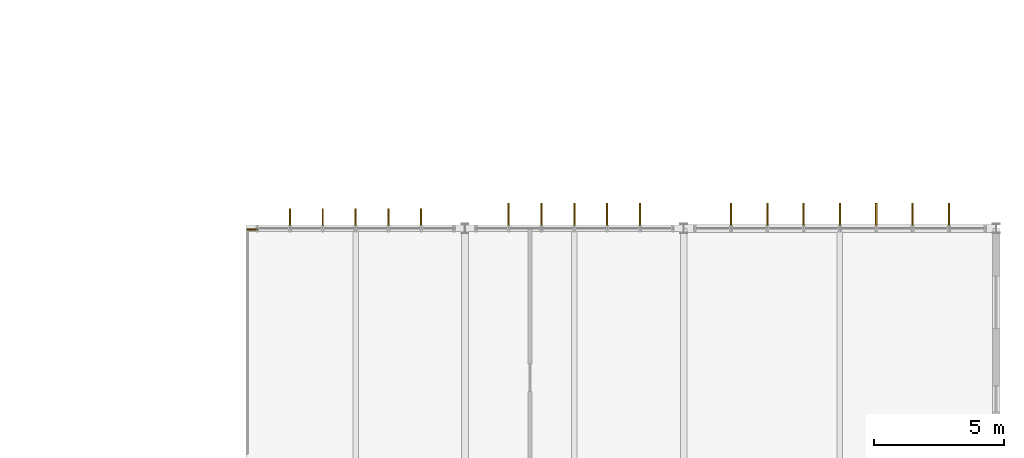
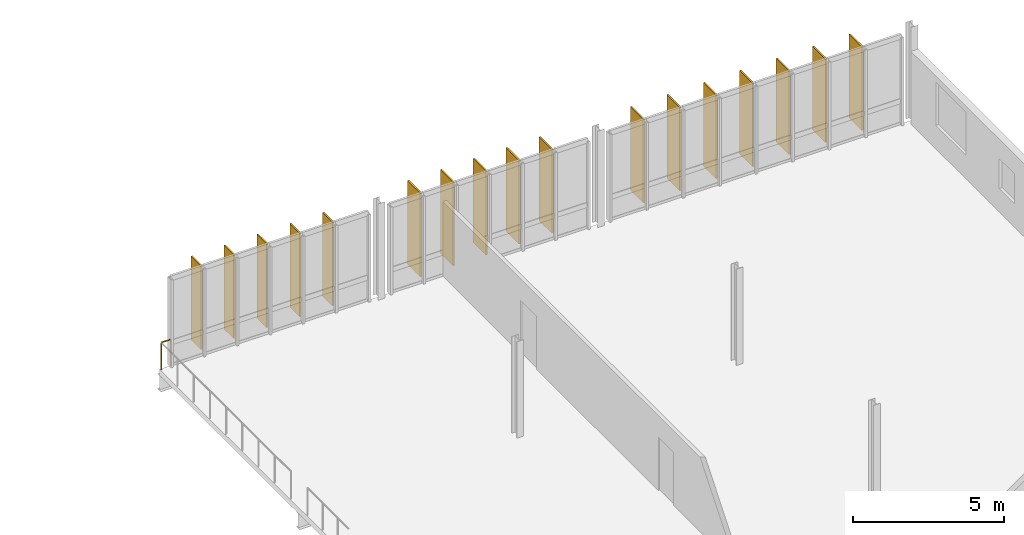
# One storey, part 61 of 61: 17 shading devices, 1 railing.
"""IFC4 building model written with IfcOpenShell, lengths in metres."""

from ifc_helpers import new_model, si_unit, derived_unit, direction, frame, origin, origin_2d, place, context, subcontext, project, spatial, rectangle, circle, extrude, material, layer, layer_set, type_object, element, save


model = new_model("IFC4")

# Units and contexts
model_context = context("Model", 3, precision=1e-05, world=origin(), true_north=direction((0.0, 1.0)))
body_context = subcontext(model_context, "Body", "Model", "MODEL_VIEW")
ifc_project = project(units=[si_unit("LENGTHUNIT", "METRE"), si_unit("AREAUNIT", "SQUARE_METRE"), si_unit("VOLUMEUNIT", "CUBIC_METRE"), si_unit("PLANEANGLEUNIT", "RADIAN"), si_unit("MASSUNIT", "GRAM", prefix="KILO"), derived_unit("THERMALTRANSMITTANCEUNIT", [(si_unit("MASSUNIT", "GRAM", prefix="KILO"), 1), (si_unit("TIMEUNIT", "SECOND"), -3), (si_unit("THERMODYNAMICTEMPERATUREUNIT", "KELVIN"), -1)])], contexts=[model_context])

# Site, building, storey
site_placement = place(None, origin())
site = spatial("IfcSite", under=ifc_project, at=site_placement, CompositionType="ELEMENT")
building_placement = place(site_placement, origin())
building = spatial("IfcBuilding", under=site, at=building_placement, Name="Makaiwela Harbour Ferry Terminal", CompositionType="ELEMENT")
storey_placement = place(building_placement, frame((0.0, 0.0, 13.800048828125)))
storey = spatial("IfcBuildingStorey", under=building, at=storey_placement, Name="L03", CompositionType="ELEMENT", Elevation=13.800048828125)

# Shading devices
ifc_material_1 = material(Name="Marine anodised aluminium 6063-T6", Category="aluminium")
ifc_layer_1 = layer(ifc_material_1, 0.054931640625)
ifc_layer_set_1 = layer_set([ifc_layer_1], Name="Marine anodised aluminium 6063-T6")
shading_device_type_1 = type_object("IfcShadingDeviceType", Name="ENV-FIN-650", PredefinedType="USERDEFINED", material=ifc_layer_set_1)
for number, where, z_axis, x_axis, name in (
    (1, (140.280029296875, 95.43798828125, 0.15087890625), (0.0, 0.0, 1.0), (0.0, 1.0, 0.0), "Vertical Solar Fin SFN-0453"),
    (2, (141.5400390625, 95.43798828125, 0.15087890625), (0.0, 0.0, 1.0), (0.0, 1.0, 0.0), "Vertical Solar Fin SFN-0454"),
    (3, (142.800048828125, 95.43798828125, 0.15087890625), (0.0, 0.0, 1.0), (0.0, 1.0, 0.0), "Vertical Solar Fin SFN-0455"),
    (4, (144.06005859375, 95.43798828125, 0.15087890625), (0.0, 0.0, 1.0), (0.0, 1.0, 0.0), "Vertical Solar Fin SFN-0456"),
    (5, (145.320068359375, 95.43798828125, 0.15087890625), (0.0, 0.0, 1.0), (0.0, 1.0, 0.0), "Vertical Solar Fin SFN-0457"),
):
    element("IfcShadingDevice", number, at=place(storey_placement, frame(where, z_axis=z_axis, x_axis=x_axis)), inside=storey, type_object=shading_device_type_1, Name=name, ObjectType="SOLAR FIN", PredefinedType="USERDEFINED", context=body_context, shape_type="SweptSolid", body=[
        extrude(rectangle(XDim=0.64990234375, YDim=0.054931640625, at=origin_2d()), origin(), (0.0, 0.0, 1.0), 3.389892578125),
    ])
ifc_material_2 = material(Name="Thermally modified Accoya timber and anodised aluminium", Category="wood")
ifc_layer_2 = layer(ifc_material_2, 0.06005859375)
ifc_layer_set_2 = layer_set([ifc_layer_2], Name="Thermally modified Accoya timber and anodised aluminium")
shading_device_type_2 = type_object("IfcShadingDeviceType", Name="ENV-FIN-850", PredefinedType="USERDEFINED", material=ifc_layer_set_2)
for number, where, z_axis, x_axis, name in (
    (6, (148.679931640625, 95.5380859375, 0.15087890625), (0.0, 0.0, 1.0), (0.0, 1.0, 0.0), "Vertical Solar Fin SFN-0473"),
    (7, (149.93994140625, 95.5380859375, 0.15087890625), (0.0, 0.0, 1.0), (0.0, 1.0, 0.0), "Vertical Solar Fin SFN-0474"),
    (8, (151.199951171875, 95.5380859375, 0.15087890625), (0.0, 0.0, 1.0), (0.0, 1.0, 0.0), "Vertical Solar Fin SFN-0475"),
    (9, (152.4599609375, 95.5380859375, 0.15087890625), (0.0, 0.0, 1.0), (0.0, 1.0, 0.0), "Vertical Solar Fin SFN-0476"),
    (10, (153.719970703125, 95.5380859375, 0.15087890625), (0.0, 0.0, 1.0), (0.0, 1.0, 0.0), "Vertical Solar Fin SFN-0477"),
    (11, (157.215087890625, 95.5380859375, 0.15087890625), (0.0, 0.0, 1.0), (0.0, 1.0, 0.0), "Vertical Solar Fin SFN-0499"),
    (12, (158.610107421875, 95.5380859375, 0.15087890625), (0.0, 0.0, 1.0), (0.0, 1.0, 0.0), "Vertical Solar Fin SFN-0500"),
    (13, (160.0048828125, 95.5380859375, 0.15087890625), (0.0, 0.0, 1.0), (0.0, 1.0, 0.0), "Vertical Solar Fin SFN-0501"),
    (14, (161.39990234375, 95.5380859375, 0.15087890625), (0.0, 0.0, 1.0), (0.0, 1.0, 0.0), "Vertical Solar Fin SFN-0502"),
    (15, (162.794921875, 95.5380859375, 0.15087890625), (0.0, 0.0, 1.0), (0.0, 1.0, 0.0), "Vertical Solar Fin SFN-0503"),
    (16, (164.18994140625, 95.5380859375, 0.15087890625), (0.0, 0.0, 1.0), (0.0, 1.0, 0.0), "Vertical Solar Fin SFN-0504"),
    (17, (165.5849609375, 95.5380859375, 0.15087890625), (0.0, 0.0, 1.0), (0.0, 1.0, 0.0), "Vertical Solar Fin SFN-0505"),
):
    element("IfcShadingDevice", number, at=place(storey_placement, frame(where, z_axis=z_axis, x_axis=x_axis)), inside=storey, type_object=shading_device_type_2, Name=name, ObjectType="SOLAR FIN", PredefinedType="USERDEFINED", context=body_context, shape_type="SweptSolid", body=[
        extrude(rectangle(XDim=0.85009765625, YDim=0.06005859375, at=origin_2d()), origin(), (0.0, 0.0, 1.0), 3.389892578125),
    ])

# Railing
ifc_material_3 = material(Name="Marine grade 316L brushed stainless steel", Category="steel")
railing_type = type_object("IfcRailingType", Name="INT-RL-GRD110", PredefinedType="GUARDRAIL", material=ifc_material_3)
railing_placement = place(storey_placement, frame((138.64501953125, 94.955078125, 0.0)))
element("IfcRailing", 18, at=railing_placement, inside=storey, type_object=railing_type, Name="Deck edge guardrail RL-0713", PredefinedType="GUARDRAIL", context=body_context, shape_type="SweptSolid", body=[
    extrude(circle(Radius=0.02392578125, at=origin_2d()), frame((0.0, 0.0, 1.09619140625), z_axis=(1.0, 0.0, 0.0), x_axis=(0.0, 1.0, 0.0)), (0.0, 0.0, 1.0), 0.375),
    extrude(circle(Radius=0.02099609375, at=origin_2d()), origin(), (0.0, 0.0, 1.0), 1.072021484375),
    extrude(circle(Radius=0.02099609375, at=origin_2d()), frame((0.375, 0.0, 0.0)), (0.0, 0.0, 1.0), 1.072021484375),
])

save(model, "model.ifc")
